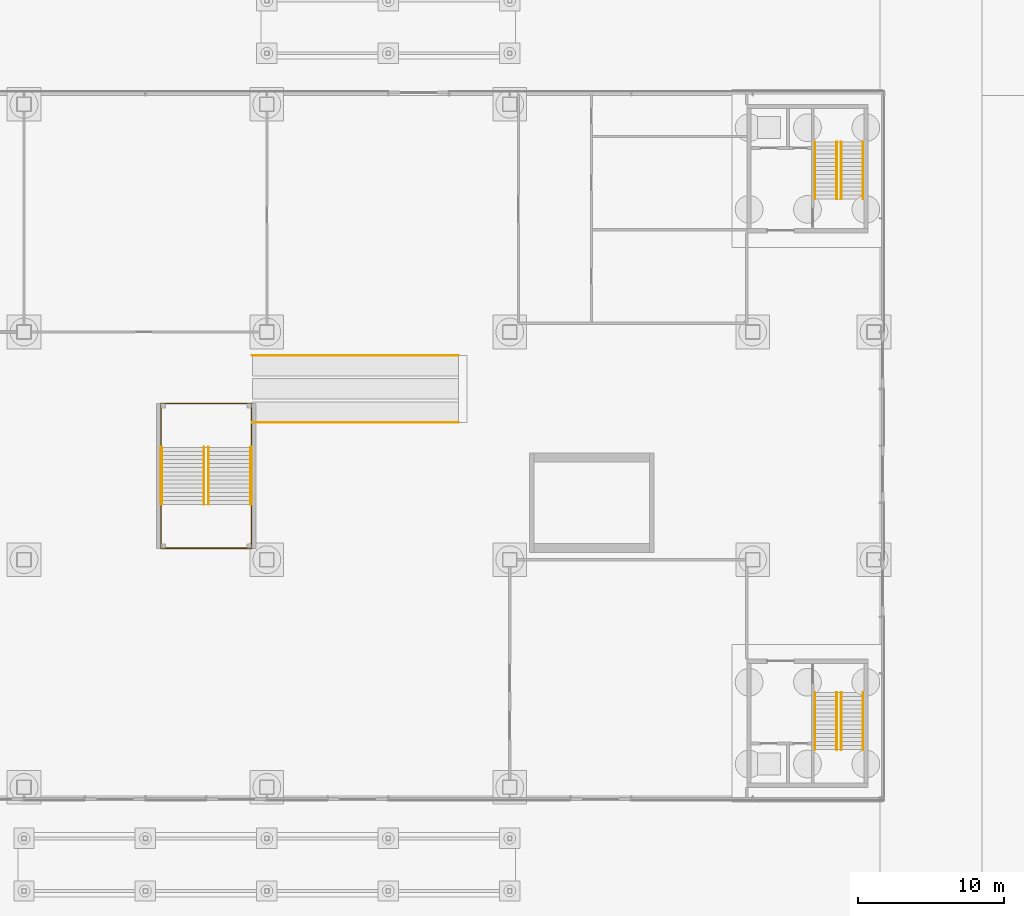
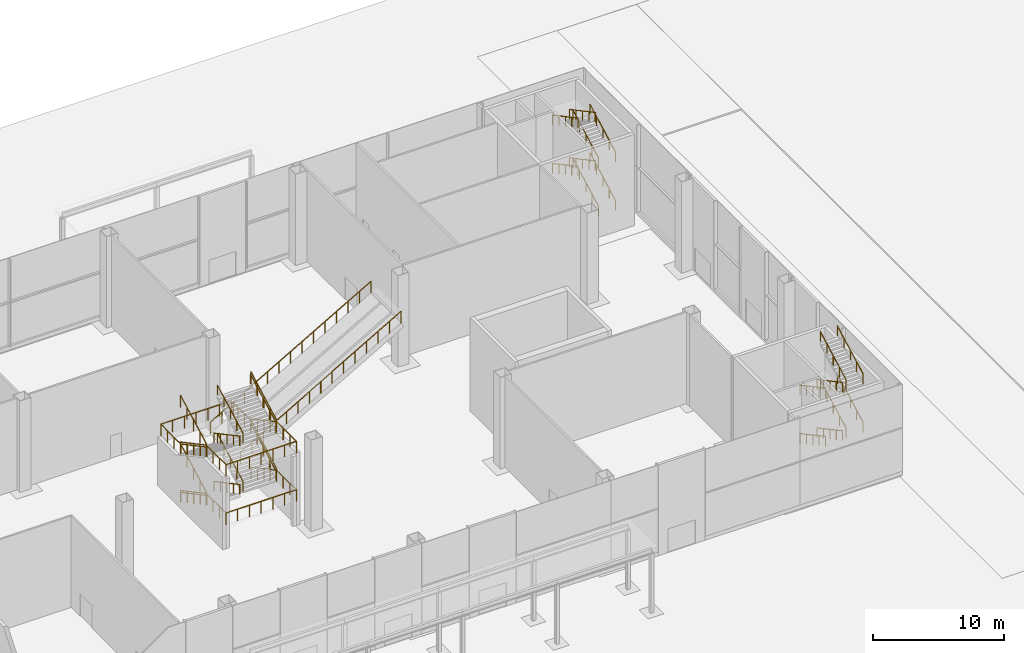
# One storey, part 112 of 113: 37 railings.
"""IFC4 building model written with IfcOpenShell, lengths in metres."""

import ifcopenshell
import ifcopenshell.guid

model = None  # the IFC model being written
_history = None  # IfcOwnerHistory: only IFC2X3 demands one
_inside = {}  # id of a spatial element -> (the spatial element, [elements in it])
_under = {}  # id of a project, library or spatial element -> (it, [spatial elements below it])
_declared = {}  # id of a project -> (the project, [libraries it declares])
_typed = {}  # id of a type object -> (the type object, [elements of that type])
_made_of = {}  # id of a material, layer set ... -> (it, [elements and type objects made of it])


def new_model(schema):
    """Start an empty IFC model of exactly this schema.

    Asked for "IFC4X3", IfcOpenShell would pick the latest addendum, in which some entities
    have other attributes; the version numbers below select the first issue.
    IFC2X3 requires an IfcOwnerHistory on every rooted entity: one is made here for all.
    """
    global model, _history
    if schema == "IFC4X3":
        model = ifcopenshell.file(schema_version=(4, 3, 0, 0))
    else:
        model = ifcopenshell.file(schema=schema)
    _inside.clear()
    _under.clear()
    _declared.clear()
    _typed.clear()
    _made_of.clear()
    _history = None
    if model.schema == "IFC2X3":
        org = make("IfcOrganization", Name="unknown")
        user = make(
            "IfcPersonAndOrganization",
            ThePerson=make("IfcPerson", FamilyName="unknown"),
            TheOrganization=org,
        )
        app = make(
            "IfcApplication",
            ApplicationDeveloper=org,
            Version="unknown",
            ApplicationFullName="unknown",
            ApplicationIdentifier="unknown",
        )
        _history = make(
            "IfcOwnerHistory",
            OwningUser=user,
            OwningApplication=app,
            ChangeAction="ADDED",
            CreationDate=0,
        )
    return model


def make(cls, **values):
    """One entity of the class cls with the attributes given. An attribute that is None is left unset."""
    return model.create_entity(
        cls, **{name: value for name, value in values.items() if value is not None}
    )


def rooted(cls, **values):
    """An entity with a GlobalId (a new one), such as an element, a storey or a relation."""
    return make(cls, GlobalId=ifcopenshell.guid.new(), OwnerHistory=_history, **values)


def si_unit(unit_type, name, prefix=None):
    """IfcSIUnit, for example si_unit("LENGTHUNIT", "METRE", prefix="MILLI")."""
    return make("IfcSIUnit", UnitType=unit_type, Prefix=prefix, Name=name)


def assignment(units):
    """IfcUnitAssignment: the units of a project."""
    return None if units is None else make("IfcUnitAssignment", Units=units)


def point(xyz):
    """IfcCartesianPoint."""
    return None if xyz is None else make("IfcCartesianPoint", Coordinates=xyz)


def direction(xyz):
    """IfcDirection."""
    return None if xyz is None else make("IfcDirection", DirectionRatios=xyz)


def frame(location, z_axis=None, x_axis=None):
    """IfcAxis2Placement3D, a coordinate frame: its origin and axes. An axis left out is left unset."""
    return make(
        "IfcAxis2Placement3D",
        Location=point(location),
        Axis=direction(z_axis),
        RefDirection=direction(x_axis),
    )


def frame_2d(location, x_axis=None):
    """IfcAxis2Placement2D, a coordinate frame in the plane: its origin and x axis."""
    return make(
        "IfcAxis2Placement2D", Location=point(location), RefDirection=direction(x_axis)
    )


def origin():
    """The frame at (0, 0, 0) with its axes left unset."""
    return frame((0.0, 0.0, 0.0))


def origin_2d():
    """The frame at (0, 0) in the plane with its x axis left unset."""
    return frame_2d((0.0, 0.0))


def place(relative_to, where):
    """IfcLocalPlacement: puts the frame where relative to a parent placement (None: the world)."""
    return make(
        "IfcLocalPlacement", PlacementRelTo=relative_to, RelativePlacement=where
    )


def context(
    kind, dimensions, precision=None, world=None, true_north=None, identifier=None
):
    """IfcGeometricRepresentationContext, for example the 3D "Model" context."""
    return make(
        "IfcGeometricRepresentationContext",
        ContextIdentifier=identifier,
        ContextType=kind,
        CoordinateSpaceDimension=dimensions,
        Precision=precision,
        WorldCoordinateSystem=world,
        TrueNorth=true_north,
    )


def subcontext(parent, identifier, kind, view, scale=None):
    """IfcGeometricRepresentationSubContext, for example "Body" below "Model"."""
    return make(
        "IfcGeometricRepresentationSubContext",
        ContextIdentifier=identifier,
        ContextType=kind,
        ParentContext=parent,
        TargetScale=scale,
        TargetView=view,
    )


def project(units=None, contexts=None):
    """IfcProject with its units and contexts."""
    return rooted(
        "IfcProject",
        Name="project",
        RepresentationContexts=contexts,
        UnitsInContext=assignment(units),
    )


def spatial(cls, under=None, at=None, **own):
    """A site, building, storey or space (cls), placed at a placement, below another one or the project."""
    s = rooted(cls, ObjectPlacement=at, **own)
    if under is not None:
        _under.setdefault(under.id(), (under, []))[1].append(s)
    return s


def profile(cls, at=None, kind="AREA", **sizes):
    """A parametric profile (cls). Its sizes go by their IFC names, for example OverallWidth=200.0."""
    return make(cls, ProfileType=kind, Position=at, **sizes)


def circle(**sizes):
    """IfcCircleProfileDef."""
    return profile("IfcCircleProfileDef", **sizes)


def extrude(swept, where, along, depth):
    """IfcExtrudedAreaSolid: the profile swept, set in the frame where, extruded along a direction by depth."""
    return make(
        "IfcExtrudedAreaSolid",
        SweptArea=swept,
        Position=where,
        ExtrudedDirection=direction(along),
        Depth=depth,
    )


def shape(context_of_items, identifier, shape_type, items):
    """IfcShapeRepresentation: the items that make up one representation, for example the "Body"."""
    return make(
        "IfcShapeRepresentation",
        ContextOfItems=context_of_items,
        RepresentationIdentifier=identifier,
        RepresentationType=shape_type,
        Items=items,
    )


def material(Name=None, Category=None):
    """IfcMaterial."""
    return make("IfcMaterial", Name=Name, Category=Category)


def made_of(thing, what):
    """Note that an element or type object is made of a material, layer set ...; save() writes the relation."""
    if what is not None:
        _made_of.setdefault(what.id(), (what, []))[1].append(thing)
    return thing


def type_object(cls, material=None, **own):
    """A type object (cls), such as IfcWallType, which elements share."""
    return made_of(rooted(cls, **own), material)


def element(
    cls,
    number,
    at=None,
    inside=None,
    cuts=None,
    type_object=None,
    material=None,
    context=None,
    identifier="Body",
    shape_type=None,
    held_by="IfcProductDefinitionShape",
    body=None,
    shapes=None,
    **own,
):
    """One element of the class cls, such as IfcWall. Its Tag is "e" and its number.

    at: its placement. inside: the storey or other place that contains it. cuts: it is an
    opening in that element (IfcRelVoidsElement). A single representation is given by context,
    identifier, shape_type and body (its items); several are given by shapes. held_by: the class
    of the entity that holds the representations. save() writes the other relations.
    """
    e = rooted(cls, Tag="e%d" % number, ObjectPlacement=at, **own)
    if body is not None:
        shapes = [shape(context, identifier, shape_type, body)]
    if shapes is not None:
        e.Representation = make(held_by, Representations=shapes)
    if inside is not None:
        _inside.setdefault(inside.id(), (inside, []))[1].append(e)
    if cuts is not None:
        rooted(
            "IfcRelVoidsElement", RelatingBuildingElement=cuts, RelatedOpeningElement=e
        )
    if type_object is not None:
        _typed.setdefault(type_object.id(), (type_object, []))[1].append(e)
    return made_of(e, material)


def aggregate(whole, parts):
    """IfcRelAggregates: a whole, such as a stair, and the parts it consists of."""
    return rooted("IfcRelAggregates", RelatingObject=whole, RelatedObjects=parts)


def save(model, path):
    """Write the relations noted so far, then the file.

    IfcRelAggregates (storeys below a building ...), IfcRelContainedInSpatialStructure (elements
    in a storey), IfcRelDefinesByType, IfcRelAssociatesMaterial and IfcRelDeclares: one each for
    every whole, place, type object, material and project.
    """
    for whole, parts in _under.values():
        aggregate(whole, parts)
    for where, things in _inside.values():
        rooted(
            "IfcRelContainedInSpatialStructure",
            RelatedElements=things,
            RelatingStructure=where,
        )
    for kind, things in _typed.values():
        rooted("IfcRelDefinesByType", RelatedObjects=things, RelatingType=kind)
    for what, things in _made_of.values():
        rooted("IfcRelAssociatesMaterial", RelatedObjects=things, RelatingMaterial=what)
    for by, libraries in _declared.values():
        rooted("IfcRelDeclares", RelatingContext=by, RelatedDefinitions=libraries)
    model.write(path)


model = new_model("IFC4")

# Units and contexts
model_context = context("Model", 3, precision=1e-05, world=origin(), true_north=direction((0.0, 1.0)))
body_context = subcontext(model_context, "Body", "Model", "MODEL_VIEW")
ifc_project = project(units=[si_unit("LENGTHUNIT", "METRE"), si_unit("AREAUNIT", "SQUARE_METRE"), si_unit("VOLUMEUNIT", "CUBIC_METRE"), si_unit("PLANEANGLEUNIT", "RADIAN"), si_unit("MASSUNIT", "GRAM", prefix="KILO")], contexts=[model_context])

# Site, building, storey
site_placement = place(None, origin())
site = spatial("IfcSite", under=ifc_project, at=site_placement, CompositionType="ELEMENT")
building_placement = place(site_placement, origin())
building = spatial("IfcBuilding", under=site, at=building_placement, Name="Hakoniwa Tower and Hamabe Station Hall", CompositionType="ELEMENT")
storey_placement = place(building_placement, origin())
storey = spatial("IfcBuildingStorey", under=building, at=storey_placement, Name="L01", CompositionType="ELEMENT", Elevation=0.0)

# Railings
ifc_material_1 = material(Name="Stainless steel and glass", Category="steel")
railing_type_1 = type_object("IfcRailingType", Name="GUARD 1100", PredefinedType="GUARDRAIL", material=ifc_material_1)
for number, where, name in (
    (1, (120.2900390625, -0.10009765625, 0.14990234375), "Stair guard CS1 1"),
    (2, (126.489990234375, -0.10009765625, 0.14990234375), "Stair guard CS1 2"),
):
    element("IfcRailing", number, at=place(storey_placement, frame(where)), inside=storey, type_object=railing_type_1, Name=name, PredefinedType="GUARDRAIL", context=body_context, shape_type="SweptSolid", body=[
        extrude(circle(Radius=0.02392578125, at=origin_2d()), frame((0.0, 0.0, 1.076171875), z_axis=(0.0, -0.881466911329, 0.472245787945), x_axis=(1.0, 0.0, 0.0)), (0.0, 0.0, 1.0), 4.447021484375),
        extrude(circle(Radius=0.02099609375, at=origin_2d()), origin(), (0.0, 0.0, 1.0), 1.052001953125),
        extrude(circle(Radius=0.02099609375, at=origin_2d()), frame((0.0, -0.97998046875, 0.52490234375)), (0.0, 0.0, 1.0), 1.052001953125),
        extrude(circle(Radius=0.02099609375, at=origin_2d()), frame((0.0, -1.9599609375, 1.050048828125)), (0.0, 0.0, 1.0), 1.052001953125),
        extrude(circle(Radius=0.02099609375, at=origin_2d()), frame((0.0, -2.93994140625, 1.5751953125)), (0.0, 0.0, 1.0), 1.052001953125),
        extrude(circle(Radius=0.02099609375, at=origin_2d()), frame((0.0, -3.919921875, 2.10009765625)), (0.0, 0.0, 1.0), 1.052001953125),
    ])
for number, where, name in (
    (3, (120.2900390625, -4.02001953125, 2.39990234375), "Stair guard CS1 3"),
    (4, (126.489990234375, -4.02001953125, 2.39990234375), "Stair guard CS1 4"),
):
    element("IfcRailing", number, at=place(storey_placement, frame(where)), inside=storey, type_object=railing_type_1, Name=name, PredefinedType="GUARDRAIL", context=body_context, shape_type="SweptSolid", body=[
        extrude(circle(Radius=0.02392578125, at=origin_2d()), frame((0.0, 0.0, 1.076171875), z_axis=(0.0, 0.881466911329, 0.472245787945), x_axis=(-1.0, 0.0, 0.0)), (0.0, 0.0, 1.0), 4.447021484375),
        extrude(circle(Radius=0.02099609375, at=origin_2d()), origin(), (0.0, 0.0, 1.0), 1.052001953125),
        extrude(circle(Radius=0.02099609375, at=origin_2d()), frame((0.0, 0.97998046875, 0.52490234375)), (0.0, 0.0, 1.0), 1.052001953125),
        extrude(circle(Radius=0.02099609375, at=origin_2d()), frame((0.0, 1.9599609375, 1.050048828125)), (0.0, 0.0, 1.0), 1.052001953125),
        extrude(circle(Radius=0.02099609375, at=origin_2d()), frame((0.0, 2.93994140625, 1.5751953125)), (0.0, 0.0, 1.0), 1.052001953125),
        extrude(circle(Radius=0.02099609375, at=origin_2d()), frame((0.0, 3.919921875, 2.10009765625)), (0.0, 0.0, 1.0), 1.052001953125),
    ])
for number, where, name in (
    (5, (120.2900390625, -0.10009765625, 4.64990234375), "Stair guard CS1 5"),
    (6, (126.489990234375, -0.10009765625, 4.64990234375), "Stair guard CS1 6"),
):
    element("IfcRailing", number, at=place(storey_placement, frame(where)), inside=storey, type_object=railing_type_1, Name=name, PredefinedType="GUARDRAIL", context=body_context, shape_type="SweptSolid", body=[
        extrude(circle(Radius=0.02392578125, at=origin_2d()), frame((0.0, 0.0, 1.076171875), z_axis=(0.0, -0.881466911329, 0.472245787945), x_axis=(1.0, 0.0, 0.0)), (0.0, 0.0, 1.0), 4.447021484375),
        extrude(circle(Radius=0.02099609375, at=origin_2d()), origin(), (0.0, 0.0, 1.0), 1.052001953125),
        extrude(circle(Radius=0.02099609375, at=origin_2d()), frame((0.0, -0.97998046875, 0.52490234375)), (0.0, 0.0, 1.0), 1.052001953125),
        extrude(circle(Radius=0.02099609375, at=origin_2d()), frame((0.0, -1.9599609375, 1.050048828125)), (0.0, 0.0, 1.0), 1.052001953125),
        extrude(circle(Radius=0.02099609375, at=origin_2d()), frame((0.0, -2.93994140625, 1.5751953125)), (0.0, 0.0, 1.0), 1.052001953125),
        extrude(circle(Radius=0.02099609375, at=origin_2d()), frame((0.0, -3.919921875, 2.10009765625)), (0.0, 0.0, 1.0), 1.052001953125),
    ])
for number, where, name in (
    (7, (120.2900390625, -4.02001953125, 6.89990234375), "Stair guard CS1 7"),
    (8, (126.489990234375, -4.02001953125, 6.89990234375), "Stair guard CS1 8"),
):
    element("IfcRailing", number, at=place(storey_placement, frame(where)), inside=storey, type_object=railing_type_1, Name=name, PredefinedType="GUARDRAIL", context=body_context, shape_type="SweptSolid", body=[
        extrude(circle(Radius=0.02392578125, at=origin_2d()), frame((0.0, 0.0, 1.076171875), z_axis=(0.0, 0.881466911329, 0.472245787945), x_axis=(-1.0, 0.0, 0.0)), (0.0, 0.0, 1.0), 4.447021484375),
        extrude(circle(Radius=0.02099609375, at=origin_2d()), origin(), (0.0, 0.0, 1.0), 1.052001953125),
        extrude(circle(Radius=0.02099609375, at=origin_2d()), frame((0.0, 0.97998046875, 0.52490234375)), (0.0, 0.0, 1.0), 1.052001953125),
        extrude(circle(Radius=0.02099609375, at=origin_2d()), frame((0.0, 1.9599609375, 1.050048828125)), (0.0, 0.0, 1.0), 1.052001953125),
        extrude(circle(Radius=0.02099609375, at=origin_2d()), frame((0.0, 2.93994140625, 1.5751953125)), (0.0, 0.0, 1.0), 1.052001953125),
        extrude(circle(Radius=0.02099609375, at=origin_2d()), frame((0.0, 3.919921875, 2.10009765625)), (0.0, 0.0, 1.0), 1.052001953125),
    ])
railing_1_placement = place(storey_placement, frame((120.2900390625, -4.02001953125, 2.25)))
element("IfcRailing", 9, at=railing_1_placement, inside=storey, type_object=railing_type_1, Name="Landing guard CS1 1", PredefinedType="GUARDRAIL", context=body_context, shape_type="SweptSolid", body=[
    extrude(circle(Radius=0.02392578125, at=origin_2d()), frame((0.0, 0.0, 1.076171875), z_axis=(0.0, -1.0, 0.0), x_axis=(1.0, 0.0, 0.0)), (0.0, 0.0, 1.0), 3.0),
    extrude(circle(Radius=0.02392578125, at=origin_2d()), frame((0.0, -3.0, 1.076171875), z_axis=(1.0, 0.0, 0.0), x_axis=(0.0, 1.0, 0.0)), (0.0, 0.0, 1.0), 6.199951171875),
    extrude(circle(Radius=0.02392578125, at=origin_2d()), frame((6.199951171875, -3.0, 1.076171875), z_axis=(0.0, 1.0, 0.0), x_axis=(-1.0, 0.0, 0.0)), (0.0, 0.0, 1.0), 3.0),
    extrude(circle(Radius=0.02099609375, at=origin_2d()), origin(), (0.0, 0.0, 1.0), 1.052001953125),
    extrude(circle(Radius=0.02099609375, at=origin_2d()), frame((0.0, -1.0, 0.0)), (0.0, 0.0, 1.0), 1.052001953125),
    extrude(circle(Radius=0.02099609375, at=origin_2d()), frame((0.0, -2.0, 0.0)), (0.0, 0.0, 1.0), 1.052001953125),
    extrude(circle(Radius=0.02099609375, at=origin_2d()), frame((0.0, -3.0, 0.0)), (0.0, 0.0, 1.0), 1.052001953125),
    extrude(circle(Radius=0.02099609375, at=origin_2d()), frame((1.033203125, -3.0, 0.0)), (0.0, 0.0, 1.0), 1.052001953125),
    extrude(circle(Radius=0.02099609375, at=origin_2d()), frame((2.066650390625, -3.0, 0.0)), (0.0, 0.0, 1.0), 1.052001953125),
    extrude(circle(Radius=0.02099609375, at=origin_2d()), frame((3.10009765625, -3.0, 0.0)), (0.0, 0.0, 1.0), 1.052001953125),
    extrude(circle(Radius=0.02099609375, at=origin_2d()), frame((4.13330078125, -3.0, 0.0)), (0.0, 0.0, 1.0), 1.052001953125),
    extrude(circle(Radius=0.02099609375, at=origin_2d()), frame((5.16650390625, -3.0, 0.0)), (0.0, 0.0, 1.0), 1.052001953125),
    extrude(circle(Radius=0.02099609375, at=origin_2d()), frame((6.199951171875, -3.0, 0.0)), (0.0, 0.0, 1.0), 1.052001953125),
    extrude(circle(Radius=0.02099609375, at=origin_2d()), frame((6.199951171875, -2.0, 0.0)), (0.0, 0.0, 1.0), 1.052001953125),
    extrude(circle(Radius=0.02099609375, at=origin_2d()), frame((6.199951171875, -1.0, 0.0)), (0.0, 0.0, 1.0), 1.052001953125),
    extrude(circle(Radius=0.02099609375, at=origin_2d()), frame((6.199951171875, 0.0, 0.0)), (0.0, 0.0, 1.0), 1.052001953125),
])
railing_2_placement = place(storey_placement, frame((120.2900390625, -0.10009765625, 4.5)))
element("IfcRailing", 10, at=railing_2_placement, inside=storey, type_object=railing_type_1, Name="Landing guard CS1 2", PredefinedType="GUARDRAIL", context=body_context, shape_type="SweptSolid", body=[
    extrude(circle(Radius=0.02392578125, at=origin_2d()), frame((0.0, 0.0, 1.076171875), z_axis=(0.0, 1.0, 0.0), x_axis=(-1.0, 0.0, 0.0)), (0.0, 0.0, 1.0), 3.0),
    extrude(circle(Radius=0.02392578125, at=origin_2d()), frame((0.0, 3.0, 1.076171875), z_axis=(1.0, 0.0, 0.0), x_axis=(0.0, 1.0, 0.0)), (0.0, 0.0, 1.0), 6.199951171875),
    extrude(circle(Radius=0.02392578125, at=origin_2d()), frame((6.199951171875, 3.0, 1.076171875), z_axis=(0.0, -1.0, 0.0), x_axis=(1.0, 0.0, 0.0)), (0.0, 0.0, 1.0), 3.0),
    extrude(circle(Radius=0.02099609375, at=origin_2d()), origin(), (0.0, 0.0, 1.0), 1.052001953125),
    extrude(circle(Radius=0.02099609375, at=origin_2d()), frame((0.0, 1.0, 0.0)), (0.0, 0.0, 1.0), 1.052001953125),
    extrude(circle(Radius=0.02099609375, at=origin_2d()), frame((0.0, 2.0, 0.0)), (0.0, 0.0, 1.0), 1.052001953125),
    extrude(circle(Radius=0.02099609375, at=origin_2d()), frame((0.0, 3.0, 0.0)), (0.0, 0.0, 1.0), 1.052001953125),
    extrude(circle(Radius=0.02099609375, at=origin_2d()), frame((1.033203125, 3.0, 0.0)), (0.0, 0.0, 1.0), 1.052001953125),
    extrude(circle(Radius=0.02099609375, at=origin_2d()), frame((2.066650390625, 3.0, 0.0)), (0.0, 0.0, 1.0), 1.052001953125),
    extrude(circle(Radius=0.02099609375, at=origin_2d()), frame((3.10009765625, 3.0, 0.0)), (0.0, 0.0, 1.0), 1.052001953125),
    extrude(circle(Radius=0.02099609375, at=origin_2d()), frame((4.13330078125, 3.0, 0.0)), (0.0, 0.0, 1.0), 1.052001953125),
    extrude(circle(Radius=0.02099609375, at=origin_2d()), frame((5.16650390625, 3.0, 0.0)), (0.0, 0.0, 1.0), 1.052001953125),
    extrude(circle(Radius=0.02099609375, at=origin_2d()), frame((6.199951171875, 3.0, 0.0)), (0.0, 0.0, 1.0), 1.052001953125),
    extrude(circle(Radius=0.02099609375, at=origin_2d()), frame((6.199951171875, 2.0, 0.0)), (0.0, 0.0, 1.0), 1.052001953125),
    extrude(circle(Radius=0.02099609375, at=origin_2d()), frame((6.199951171875, 1.0, 0.0)), (0.0, 0.0, 1.0), 1.052001953125),
    extrude(circle(Radius=0.02099609375, at=origin_2d()), frame((6.199951171875, 0.0, 0.0)), (0.0, 0.0, 1.0), 1.052001953125),
])
railing_3_placement = place(storey_placement, frame((120.2900390625, -4.02001953125, 6.75)))
element("IfcRailing", 11, at=railing_3_placement, inside=storey, type_object=railing_type_1, Name="Landing guard CS1 3", PredefinedType="GUARDRAIL", context=body_context, shape_type="SweptSolid", body=[
    extrude(circle(Radius=0.02392578125, at=origin_2d()), frame((0.0, 0.0, 1.076171875), z_axis=(0.0, -1.0, 0.0), x_axis=(1.0, 0.0, 0.0)), (0.0, 0.0, 1.0), 3.0),
    extrude(circle(Radius=0.02392578125, at=origin_2d()), frame((0.0, -3.0, 1.076171875), z_axis=(1.0, 0.0, 0.0), x_axis=(0.0, 1.0, 0.0)), (0.0, 0.0, 1.0), 6.199951171875),
    extrude(circle(Radius=0.02392578125, at=origin_2d()), frame((6.199951171875, -3.0, 1.076171875), z_axis=(0.0, 1.0, 0.0), x_axis=(-1.0, 0.0, 0.0)), (0.0, 0.0, 1.0), 3.0),
    extrude(circle(Radius=0.02099609375, at=origin_2d()), origin(), (0.0, 0.0, 1.0), 1.052001953125),
    extrude(circle(Radius=0.02099609375, at=origin_2d()), frame((0.0, -1.0, 0.0)), (0.0, 0.0, 1.0), 1.052001953125),
    extrude(circle(Radius=0.02099609375, at=origin_2d()), frame((0.0, -2.0, 0.0)), (0.0, 0.0, 1.0), 1.052001953125),
    extrude(circle(Radius=0.02099609375, at=origin_2d()), frame((0.0, -3.0, 0.0)), (0.0, 0.0, 1.0), 1.052001953125),
    extrude(circle(Radius=0.02099609375, at=origin_2d()), frame((1.033203125, -3.0, 0.0)), (0.0, 0.0, 1.0), 1.052001953125),
    extrude(circle(Radius=0.02099609375, at=origin_2d()), frame((2.066650390625, -3.0, 0.0)), (0.0, 0.0, 1.0), 1.052001953125),
    extrude(circle(Radius=0.02099609375, at=origin_2d()), frame((3.10009765625, -3.0, 0.0)), (0.0, 0.0, 1.0), 1.052001953125),
    extrude(circle(Radius=0.02099609375, at=origin_2d()), frame((4.13330078125, -3.0, 0.0)), (0.0, 0.0, 1.0), 1.052001953125),
    extrude(circle(Radius=0.02099609375, at=origin_2d()), frame((5.16650390625, -3.0, 0.0)), (0.0, 0.0, 1.0), 1.052001953125),
    extrude(circle(Radius=0.02099609375, at=origin_2d()), frame((6.199951171875, -3.0, 0.0)), (0.0, 0.0, 1.0), 1.052001953125),
    extrude(circle(Radius=0.02099609375, at=origin_2d()), frame((6.199951171875, -2.0, 0.0)), (0.0, 0.0, 1.0), 1.052001953125),
    extrude(circle(Radius=0.02099609375, at=origin_2d()), frame((6.199951171875, -1.0, 0.0)), (0.0, 0.0, 1.0), 1.052001953125),
    extrude(circle(Radius=0.02099609375, at=origin_2d()), frame((6.199951171875, 0.0, 0.0)), (0.0, 0.0, 1.0), 1.052001953125),
])
railing_4_placement = place(storey_placement, frame((126.550048828125, 1.60009765625, 0.5)))
element("IfcRailing", 12, at=railing_4_placement, inside=storey, type_object=railing_type_1, Name="Balustrade ESC-A w", PredefinedType="GUARDRAIL", context=body_context, shape_type="SweptSolid", body=[
    extrude(circle(Radius=0.02392578125, at=origin_2d()), frame((0.0, 0.0, 1.076171875), z_axis=(0.866024277852, 0.0, 0.500001950167), x_axis=(0.0, 1.0, 0.0)), (0.0, 0.0, 1.0), 16.30712890625),
    extrude(circle(Radius=0.02099609375, at=origin_2d()), origin(), (0.0, 0.0, 1.0), 1.052001953125),
    extrude(circle(Radius=0.02099609375, at=origin_2d()), frame((1.0087890625, 0.0, 0.58251953125)), (0.0, 0.0, 1.0), 1.052001953125),
    extrude(circle(Radius=0.02099609375, at=origin_2d()), frame((2.017578125, 0.0, 1.164794921875)), (0.0, 0.0, 1.0), 1.052001953125),
    extrude(circle(Radius=0.02099609375, at=origin_2d()), frame((3.026123046875, 0.0, 1.7470703125)), (0.0, 0.0, 1.0), 1.052001953125),
    extrude(circle(Radius=0.02099609375, at=origin_2d()), frame((4.034912109375, 0.0, 2.32958984375)), (0.0, 0.0, 1.0), 1.052001953125),
    extrude(circle(Radius=0.02099609375, at=origin_2d()), frame((5.043701171875, 0.0, 2.912109375)), (0.0, 0.0, 1.0), 1.052001953125),
    extrude(circle(Radius=0.02099609375, at=origin_2d()), frame((6.052490234375, 0.0, 3.494384765625)), (0.0, 0.0, 1.0), 1.052001953125),
    extrude(circle(Radius=0.02099609375, at=origin_2d()), frame((7.06103515625, 0.0, 4.07666015625)), (0.0, 0.0, 1.0), 1.052001953125),
    extrude(circle(Radius=0.02099609375, at=origin_2d()), frame((8.06982421875, 0.0, 4.6591796875)), (0.0, 0.0, 1.0), 1.052001953125),
    extrude(circle(Radius=0.02099609375, at=origin_2d()), frame((9.07861328125, 0.0, 5.24169921875)), (0.0, 0.0, 1.0), 1.052001953125),
    extrude(circle(Radius=0.02099609375, at=origin_2d()), frame((10.08740234375, 0.0, 5.823974609375)), (0.0, 0.0, 1.0), 1.052001953125),
    extrude(circle(Radius=0.02099609375, at=origin_2d()), frame((11.09619140625, 0.0, 6.40625)), (0.0, 0.0, 1.0), 1.052001953125),
    extrude(circle(Radius=0.02099609375, at=origin_2d()), frame((12.104736328125, 0.0, 6.98876953125)), (0.0, 0.0, 1.0), 1.052001953125),
    extrude(circle(Radius=0.02099609375, at=origin_2d()), frame((13.113525390625, 0.0, 7.5712890625)), (0.0, 0.0, 1.0), 1.052001953125),
    extrude(circle(Radius=0.02099609375, at=origin_2d()), frame((14.122314453125, 0.0, 8.153564453125)), (0.0, 0.0, 1.0), 1.052001953125),
])
railing_5_placement = place(storey_placement, frame((126.550048828125, 6.199951171875, 0.5)))
element("IfcRailing", 13, at=railing_5_placement, inside=storey, type_object=railing_type_1, Name="Balustrade ESC-A e", PredefinedType="GUARDRAIL", context=body_context, shape_type="SweptSolid", body=[
    extrude(circle(Radius=0.02392578125, at=origin_2d()), frame((0.0, 0.0, 1.076171875), z_axis=(0.866024277852, 0.0, 0.500001950167), x_axis=(0.0, 1.0, 0.0)), (0.0, 0.0, 1.0), 16.30712890625),
    extrude(circle(Radius=0.02099609375, at=origin_2d()), origin(), (0.0, 0.0, 1.0), 1.052001953125),
    extrude(circle(Radius=0.02099609375, at=origin_2d()), frame((1.0087890625, 0.0, 0.58251953125)), (0.0, 0.0, 1.0), 1.052001953125),
    extrude(circle(Radius=0.02099609375, at=origin_2d()), frame((2.017578125, 0.0, 1.164794921875)), (0.0, 0.0, 1.0), 1.052001953125),
    extrude(circle(Radius=0.02099609375, at=origin_2d()), frame((3.026123046875, 0.0, 1.7470703125)), (0.0, 0.0, 1.0), 1.052001953125),
    extrude(circle(Radius=0.02099609375, at=origin_2d()), frame((4.034912109375, 0.0, 2.32958984375)), (0.0, 0.0, 1.0), 1.052001953125),
    extrude(circle(Radius=0.02099609375, at=origin_2d()), frame((5.043701171875, 0.0, 2.912109375)), (0.0, 0.0, 1.0), 1.052001953125),
    extrude(circle(Radius=0.02099609375, at=origin_2d()), frame((6.052490234375, 0.0, 3.494384765625)), (0.0, 0.0, 1.0), 1.052001953125),
    extrude(circle(Radius=0.02099609375, at=origin_2d()), frame((7.06103515625, 0.0, 4.07666015625)), (0.0, 0.0, 1.0), 1.052001953125),
    extrude(circle(Radius=0.02099609375, at=origin_2d()), frame((8.06982421875, 0.0, 4.6591796875)), (0.0, 0.0, 1.0), 1.052001953125),
    extrude(circle(Radius=0.02099609375, at=origin_2d()), frame((9.07861328125, 0.0, 5.24169921875)), (0.0, 0.0, 1.0), 1.052001953125),
    extrude(circle(Radius=0.02099609375, at=origin_2d()), frame((10.08740234375, 0.0, 5.823974609375)), (0.0, 0.0, 1.0), 1.052001953125),
    extrude(circle(Radius=0.02099609375, at=origin_2d()), frame((11.09619140625, 0.0, 6.40625)), (0.0, 0.0, 1.0), 1.052001953125),
    extrude(circle(Radius=0.02099609375, at=origin_2d()), frame((12.104736328125, 0.0, 6.98876953125)), (0.0, 0.0, 1.0), 1.052001953125),
    extrude(circle(Radius=0.02099609375, at=origin_2d()), frame((13.113525390625, 0.0, 7.5712890625)), (0.0, 0.0, 1.0), 1.052001953125),
    extrude(circle(Radius=0.02099609375, at=origin_2d()), frame((14.122314453125, 0.0, 8.153564453125)), (0.0, 0.0, 1.0), 1.052001953125),
])
ifc_material_2 = material(Name="Stainless steel SUS304", Category="steel")
railing_type_2 = type_object("IfcRailingType", Name="HANDRAIL 900", PredefinedType="HANDRAIL", material=ifc_material_2)
for number, where, name in (
    (14, (168.39990234375, 16.89990234375, 0.14990234375), "Handrail SS2 1"),
    (15, (166.89990234375, 16.89990234375, 0.14990234375), "Handrail SS2 2"),
):
    element("IfcRailing", number, at=place(storey_placement, frame(where)), inside=storey, type_object=railing_type_2, Name=name, PredefinedType="HANDRAIL", context=body_context, shape_type="SweptSolid", body=[
        extrude(circle(Radius=0.02392578125, at=origin_2d()), frame((0.0, 0.0, 0.8759765625), z_axis=(0.0, 0.881479153919, 0.472222935917), x_axis=(-1.0, 0.0, 0.0)), (0.0, 0.0, 1.0), 4.447265625),
        extrude(circle(Radius=0.02099609375, at=origin_2d()), origin(), (0.0, 0.0, 1.0), 0.851806640625),
        extrude(circle(Radius=0.02099609375, at=origin_2d()), frame((0.0, 0.97998046875, 0.52490234375)), (0.0, 0.0, 1.0), 0.851806640625),
        extrude(circle(Radius=0.02099609375, at=origin_2d()), frame((0.0, 1.9599609375, 1.050048828125)), (0.0, 0.0, 1.0), 0.851806640625),
        extrude(circle(Radius=0.02099609375, at=origin_2d()), frame((0.0, 2.940185546875, 1.5751953125)), (0.0, 0.0, 1.0), 0.851806640625),
        extrude(circle(Radius=0.02099609375, at=origin_2d()), frame((0.0, 3.920166015625, 2.10009765625)), (0.0, 0.0, 1.0), 0.851806640625),
    ])
for number, where, name in (
    (16, (166.60009765625, 20.820068359375, 2.39990234375), "Handrail SS2 3"),
    (17, (165.10009765625, 20.820068359375, 2.39990234375), "Handrail SS2 4"),
):
    element("IfcRailing", number, at=place(storey_placement, frame(where)), inside=storey, type_object=railing_type_2, Name=name, PredefinedType="HANDRAIL", context=body_context, shape_type="SweptSolid", body=[
        extrude(circle(Radius=0.02392578125, at=origin_2d()), frame((0.0, 0.0, 0.8759765625), z_axis=(0.0, -0.881479153919, 0.472222935917), x_axis=(1.0, 0.0, 0.0)), (0.0, 0.0, 1.0), 4.447265625),
        extrude(circle(Radius=0.02099609375, at=origin_2d()), origin(), (0.0, 0.0, 1.0), 0.851806640625),
        extrude(circle(Radius=0.02099609375, at=origin_2d()), frame((0.0, -0.97998046875, 0.52490234375)), (0.0, 0.0, 1.0), 0.851806640625),
        extrude(circle(Radius=0.02099609375, at=origin_2d()), frame((0.0, -1.9599609375, 1.050048828125)), (0.0, 0.0, 1.0), 0.851806640625),
        extrude(circle(Radius=0.02099609375, at=origin_2d()), frame((0.0, -2.940185546875, 1.5751953125)), (0.0, 0.0, 1.0), 0.851806640625),
        extrude(circle(Radius=0.02099609375, at=origin_2d()), frame((0.0, -3.920166015625, 2.10009765625)), (0.0, 0.0, 1.0), 0.851806640625),
    ])
for number, where, name in (
    (18, (168.39990234375, 16.89990234375, 4.64990234375), "Handrail SS2 5"),
    (19, (166.89990234375, 16.89990234375, 4.64990234375), "Handrail SS2 6"),
):
    element("IfcRailing", number, at=place(storey_placement, frame(where)), inside=storey, type_object=railing_type_2, Name=name, PredefinedType="HANDRAIL", context=body_context, shape_type="SweptSolid", body=[
        extrude(circle(Radius=0.02392578125, at=origin_2d()), frame((0.0, 0.0, 0.8759765625), z_axis=(0.0, 0.881479153919, 0.472222935917), x_axis=(-1.0, 0.0, 0.0)), (0.0, 0.0, 1.0), 4.447265625),
        extrude(circle(Radius=0.02099609375, at=origin_2d()), origin(), (0.0, 0.0, 1.0), 0.851806640625),
        extrude(circle(Radius=0.02099609375, at=origin_2d()), frame((0.0, 0.97998046875, 0.52490234375)), (0.0, 0.0, 1.0), 0.851806640625),
        extrude(circle(Radius=0.02099609375, at=origin_2d()), frame((0.0, 1.9599609375, 1.050048828125)), (0.0, 0.0, 1.0), 0.851806640625),
        extrude(circle(Radius=0.02099609375, at=origin_2d()), frame((0.0, 2.940185546875, 1.5751953125)), (0.0, 0.0, 1.0), 0.851806640625),
        extrude(circle(Radius=0.02099609375, at=origin_2d()), frame((0.0, 3.920166015625, 2.10009765625)), (0.0, 0.0, 1.0), 0.851806640625),
    ])
for number, where, name in (
    (20, (166.60009765625, 20.820068359375, 6.89990234375), "Handrail SS2 7"),
    (21, (165.10009765625, 20.820068359375, 6.89990234375), "Handrail SS2 8"),
    (22, (165.10009765625, -16.89990234375, 0.14990234375), "Handrail SS4 1"),
    (23, (166.60009765625, -16.89990234375, 0.14990234375), "Handrail SS4 2"),
):
    element("IfcRailing", number, at=place(storey_placement, frame(where)), inside=storey, type_object=railing_type_2, Name=name, PredefinedType="HANDRAIL", context=body_context, shape_type="SweptSolid", body=[
        extrude(circle(Radius=0.02392578125, at=origin_2d()), frame((0.0, 0.0, 0.8759765625), z_axis=(0.0, -0.881479153919, 0.472222935917), x_axis=(1.0, 0.0, 0.0)), (0.0, 0.0, 1.0), 4.447265625),
        extrude(circle(Radius=0.02099609375, at=origin_2d()), origin(), (0.0, 0.0, 1.0), 0.851806640625),
        extrude(circle(Radius=0.02099609375, at=origin_2d()), frame((0.0, -0.97998046875, 0.52490234375)), (0.0, 0.0, 1.0), 0.851806640625),
        extrude(circle(Radius=0.02099609375, at=origin_2d()), frame((0.0, -1.9599609375, 1.050048828125)), (0.0, 0.0, 1.0), 0.851806640625),
        extrude(circle(Radius=0.02099609375, at=origin_2d()), frame((0.0, -2.940185546875, 1.5751953125)), (0.0, 0.0, 1.0), 0.851806640625),
        extrude(circle(Radius=0.02099609375, at=origin_2d()), frame((0.0, -3.920166015625, 2.10009765625)), (0.0, 0.0, 1.0), 0.851806640625),
    ])
for number, where, name in (
    (24, (166.89990234375, -20.820068359375, 2.39990234375), "Handrail SS4 3"),
    (25, (168.39990234375, -20.820068359375, 2.39990234375), "Handrail SS4 4"),
):
    element("IfcRailing", number, at=place(storey_placement, frame(where)), inside=storey, type_object=railing_type_2, Name=name, PredefinedType="HANDRAIL", context=body_context, shape_type="SweptSolid", body=[
        extrude(circle(Radius=0.02392578125, at=origin_2d()), frame((0.0, 0.0, 0.8759765625), z_axis=(0.0, 0.881479153919, 0.472222935917), x_axis=(-1.0, 0.0, 0.0)), (0.0, 0.0, 1.0), 4.447265625),
        extrude(circle(Radius=0.02099609375, at=origin_2d()), origin(), (0.0, 0.0, 1.0), 0.851806640625),
        extrude(circle(Radius=0.02099609375, at=origin_2d()), frame((0.0, 0.97998046875, 0.52490234375)), (0.0, 0.0, 1.0), 0.851806640625),
        extrude(circle(Radius=0.02099609375, at=origin_2d()), frame((0.0, 1.9599609375, 1.050048828125)), (0.0, 0.0, 1.0), 0.851806640625),
        extrude(circle(Radius=0.02099609375, at=origin_2d()), frame((0.0, 2.940185546875, 1.5751953125)), (0.0, 0.0, 1.0), 0.851806640625),
        extrude(circle(Radius=0.02099609375, at=origin_2d()), frame((0.0, 3.920166015625, 2.10009765625)), (0.0, 0.0, 1.0), 0.851806640625),
    ])
for number, where, name in (
    (26, (165.10009765625, -16.89990234375, 4.64990234375), "Handrail SS4 5"),
    (27, (166.60009765625, -16.89990234375, 4.64990234375), "Handrail SS4 6"),
):
    element("IfcRailing", number, at=place(storey_placement, frame(where)), inside=storey, type_object=railing_type_2, Name=name, PredefinedType="HANDRAIL", context=body_context, shape_type="SweptSolid", body=[
        extrude(circle(Radius=0.02392578125, at=origin_2d()), frame((0.0, 0.0, 0.8759765625), z_axis=(0.0, -0.881479153919, 0.472222935917), x_axis=(1.0, 0.0, 0.0)), (0.0, 0.0, 1.0), 4.447265625),
        extrude(circle(Radius=0.02099609375, at=origin_2d()), origin(), (0.0, 0.0, 1.0), 0.851806640625),
        extrude(circle(Radius=0.02099609375, at=origin_2d()), frame((0.0, -0.97998046875, 0.52490234375)), (0.0, 0.0, 1.0), 0.851806640625),
        extrude(circle(Radius=0.02099609375, at=origin_2d()), frame((0.0, -1.9599609375, 1.050048828125)), (0.0, 0.0, 1.0), 0.851806640625),
        extrude(circle(Radius=0.02099609375, at=origin_2d()), frame((0.0, -2.940185546875, 1.5751953125)), (0.0, 0.0, 1.0), 0.851806640625),
        extrude(circle(Radius=0.02099609375, at=origin_2d()), frame((0.0, -3.920166015625, 2.10009765625)), (0.0, 0.0, 1.0), 0.851806640625),
    ])
for number, where, name in (
    (28, (166.89990234375, -20.820068359375, 6.89990234375), "Handrail SS4 7"),
    (29, (168.39990234375, -20.820068359375, 6.89990234375), "Handrail SS4 8"),
):
    element("IfcRailing", number, at=place(storey_placement, frame(where)), inside=storey, type_object=railing_type_2, Name=name, PredefinedType="HANDRAIL", context=body_context, shape_type="SweptSolid", body=[
        extrude(circle(Radius=0.02392578125, at=origin_2d()), frame((0.0, 0.0, 0.8759765625), z_axis=(0.0, 0.881479153919, 0.472222935917), x_axis=(-1.0, 0.0, 0.0)), (0.0, 0.0, 1.0), 4.447265625),
        extrude(circle(Radius=0.02099609375, at=origin_2d()), origin(), (0.0, 0.0, 1.0), 0.851806640625),
        extrude(circle(Radius=0.02099609375, at=origin_2d()), frame((0.0, 0.97998046875, 0.52490234375)), (0.0, 0.0, 1.0), 0.851806640625),
        extrude(circle(Radius=0.02099609375, at=origin_2d()), frame((0.0, 1.9599609375, 1.050048828125)), (0.0, 0.0, 1.0), 0.851806640625),
        extrude(circle(Radius=0.02099609375, at=origin_2d()), frame((0.0, 2.940185546875, 1.5751953125)), (0.0, 0.0, 1.0), 0.851806640625),
        extrude(circle(Radius=0.02099609375, at=origin_2d()), frame((0.0, 3.920166015625, 2.10009765625)), (0.0, 0.0, 1.0), 0.851806640625),
    ])
for number, where, name in (
    (30, (120.340087890625, -0.10009765625, 0.14990234375), "Handrail CS1 1"),
    (31, (123.239990234375, -0.10009765625, 0.14990234375), "Handrail CS1 2"),
):
    element("IfcRailing", number, at=place(storey_placement, frame(where)), inside=storey, type_object=railing_type_2, Name=name, PredefinedType="HANDRAIL", context=body_context, shape_type="SweptSolid", body=[
        extrude(circle(Radius=0.02392578125, at=origin_2d()), frame((0.0, 0.0, 0.8759765625), z_axis=(0.0, -0.881466911329, 0.472245787945), x_axis=(1.0, 0.0, 0.0)), (0.0, 0.0, 1.0), 4.447021484375),
        extrude(circle(Radius=0.02099609375, at=origin_2d()), origin(), (0.0, 0.0, 1.0), 0.851806640625),
        extrude(circle(Radius=0.02099609375, at=origin_2d()), frame((0.0, -0.97998046875, 0.52490234375)), (0.0, 0.0, 1.0), 0.851806640625),
        extrude(circle(Radius=0.02099609375, at=origin_2d()), frame((0.0, -1.9599609375, 1.050048828125)), (0.0, 0.0, 1.0), 0.851806640625),
        extrude(circle(Radius=0.02099609375, at=origin_2d()), frame((0.0, -2.93994140625, 1.5751953125)), (0.0, 0.0, 1.0), 0.851806640625),
        extrude(circle(Radius=0.02099609375, at=origin_2d()), frame((0.0, -3.919921875, 2.10009765625)), (0.0, 0.0, 1.0), 0.851806640625),
    ])
for number, where, name in (
    (32, (123.5400390625, -4.02001953125, 2.39990234375), "Handrail CS1 3"),
    (33, (126.43994140625, -4.02001953125, 2.39990234375), "Handrail CS1 4"),
):
    element("IfcRailing", number, at=place(storey_placement, frame(where)), inside=storey, type_object=railing_type_2, Name=name, PredefinedType="HANDRAIL", context=body_context, shape_type="SweptSolid", body=[
        extrude(circle(Radius=0.02392578125, at=origin_2d()), frame((0.0, 0.0, 0.8759765625), z_axis=(0.0, 0.881466911329, 0.472245787945), x_axis=(-1.0, 0.0, 0.0)), (0.0, 0.0, 1.0), 4.447021484375),
        extrude(circle(Radius=0.02099609375, at=origin_2d()), origin(), (0.0, 0.0, 1.0), 0.851806640625),
        extrude(circle(Radius=0.02099609375, at=origin_2d()), frame((0.0, 0.97998046875, 0.52490234375)), (0.0, 0.0, 1.0), 0.851806640625),
        extrude(circle(Radius=0.02099609375, at=origin_2d()), frame((0.0, 1.9599609375, 1.050048828125)), (0.0, 0.0, 1.0), 0.851806640625),
        extrude(circle(Radius=0.02099609375, at=origin_2d()), frame((0.0, 2.93994140625, 1.5751953125)), (0.0, 0.0, 1.0), 0.851806640625),
        extrude(circle(Radius=0.02099609375, at=origin_2d()), frame((0.0, 3.919921875, 2.10009765625)), (0.0, 0.0, 1.0), 0.851806640625),
    ])
for number, where, name in (
    (34, (120.340087890625, -0.10009765625, 4.64990234375), "Handrail CS1 5"),
    (35, (123.239990234375, -0.10009765625, 4.64990234375), "Handrail CS1 6"),
):
    element("IfcRailing", number, at=place(storey_placement, frame(where)), inside=storey, type_object=railing_type_2, Name=name, PredefinedType="HANDRAIL", context=body_context, shape_type="SweptSolid", body=[
        extrude(circle(Radius=0.02392578125, at=origin_2d()), frame((0.0, 0.0, 0.8759765625), z_axis=(0.0, -0.881466911329, 0.472245787945), x_axis=(1.0, 0.0, 0.0)), (0.0, 0.0, 1.0), 4.447021484375),
        extrude(circle(Radius=0.02099609375, at=origin_2d()), origin(), (0.0, 0.0, 1.0), 0.851806640625),
        extrude(circle(Radius=0.02099609375, at=origin_2d()), frame((0.0, -0.97998046875, 0.52490234375)), (0.0, 0.0, 1.0), 0.851806640625),
        extrude(circle(Radius=0.02099609375, at=origin_2d()), frame((0.0, -1.9599609375, 1.050048828125)), (0.0, 0.0, 1.0), 0.851806640625),
        extrude(circle(Radius=0.02099609375, at=origin_2d()), frame((0.0, -2.93994140625, 1.5751953125)), (0.0, 0.0, 1.0), 0.851806640625),
        extrude(circle(Radius=0.02099609375, at=origin_2d()), frame((0.0, -3.919921875, 2.10009765625)), (0.0, 0.0, 1.0), 0.851806640625),
    ])
for number, where, name in (
    (36, (123.5400390625, -4.02001953125, 6.89990234375), "Handrail CS1 7"),
    (37, (126.43994140625, -4.02001953125, 6.89990234375), "Handrail CS1 8"),
):
    element("IfcRailing", number, at=place(storey_placement, frame(where)), inside=storey, type_object=railing_type_2, Name=name, PredefinedType="HANDRAIL", context=body_context, shape_type="SweptSolid", body=[
        extrude(circle(Radius=0.02392578125, at=origin_2d()), frame((0.0, 0.0, 0.8759765625), z_axis=(0.0, 0.881466911329, 0.472245787945), x_axis=(-1.0, 0.0, 0.0)), (0.0, 0.0, 1.0), 4.447021484375),
        extrude(circle(Radius=0.02099609375, at=origin_2d()), origin(), (0.0, 0.0, 1.0), 0.851806640625),
        extrude(circle(Radius=0.02099609375, at=origin_2d()), frame((0.0, 0.97998046875, 0.52490234375)), (0.0, 0.0, 1.0), 0.851806640625),
        extrude(circle(Radius=0.02099609375, at=origin_2d()), frame((0.0, 1.9599609375, 1.050048828125)), (0.0, 0.0, 1.0), 0.851806640625),
        extrude(circle(Radius=0.02099609375, at=origin_2d()), frame((0.0, 2.93994140625, 1.5751953125)), (0.0, 0.0, 1.0), 0.851806640625),
        extrude(circle(Radius=0.02099609375, at=origin_2d()), frame((0.0, 3.919921875, 2.10009765625)), (0.0, 0.0, 1.0), 0.851806640625),
    ])

save(model, "model.ifc")
